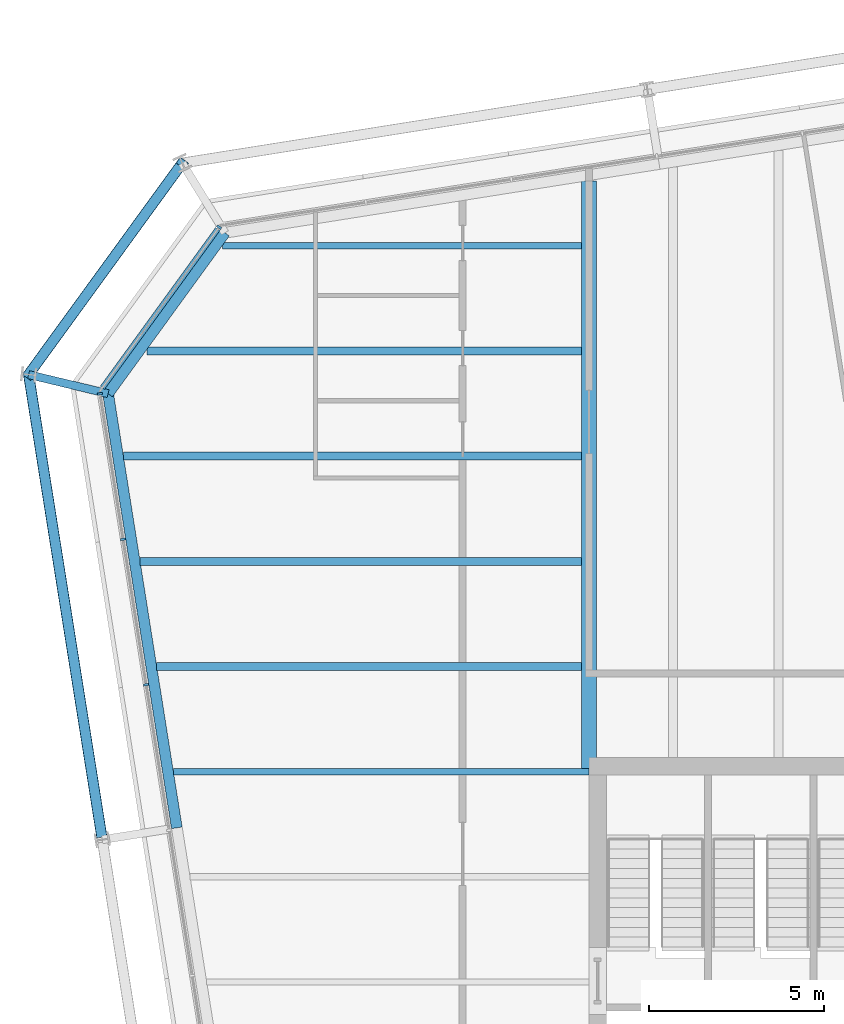
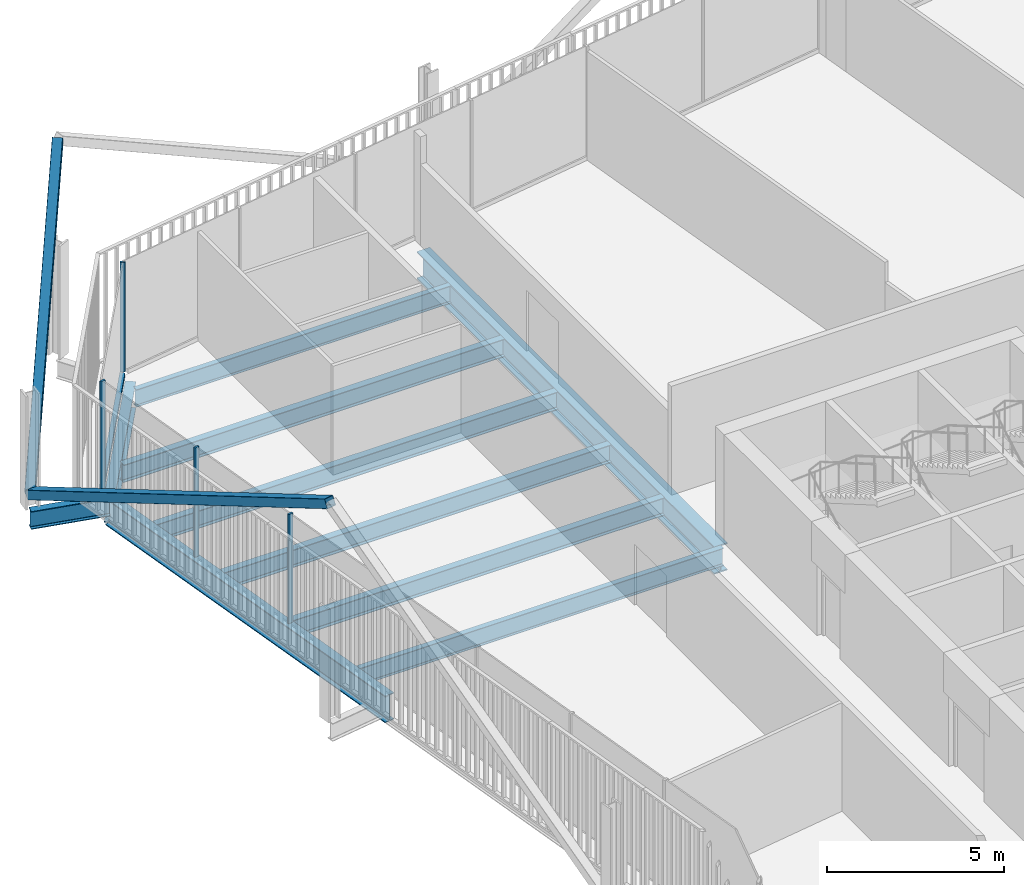
# One storey, part 11 of 21: 10 beams, 7 members, 2 elements without a shape of their own.
"""IFC4 building model written with IfcOpenShell, lengths in metres."""

from ifc_helpers import new_model, si_unit, direction, frame, origin, origin_2d, place, context, subcontext, project, spatial, rectangle, hollow_rectangle, i_section, extrude, material, layer, layer_set, material_profile, profile_set, type_object, element, aggregate, save


model = new_model("IFC4")

# Units and contexts
model_context = context("Model", 3, precision=1e-05, world=origin(), true_north=direction((0.0, 1.0)))
body_context = subcontext(model_context, "Body", "Model", "MODEL_VIEW")
ifc_project = project(units=[si_unit("LENGTHUNIT", "METRE"), si_unit("AREAUNIT", "SQUARE_METRE"), si_unit("VOLUMEUNIT", "CUBIC_METRE"), si_unit("PLANEANGLEUNIT", "RADIAN"), si_unit("MASSUNIT", "GRAM", prefix="KILO")], contexts=[model_context])

# Site, building, storey
site_placement = place(None, origin())
site = spatial("IfcSite", under=ifc_project, at=site_placement, CompositionType="ELEMENT")
building_placement = place(site_placement, origin())
building = spatial("IfcBuilding", under=site, at=building_placement, Name="Millrace Tower", CompositionType="ELEMENT")
storey_placement = place(building_placement, frame((0.0, 0.0, 247.39990234375)))
storey = spatial("IfcBuildingStorey", under=building, at=storey_placement, Name="L56", CompositionType="ELEMENT", Elevation=247.39990234375)

# Curtain wall, member
ifc_material_1 = material(Name="Aluminium and glass", Category="aluminium")
ifc_layer = layer(ifc_material_1, 0.14990234375)
ifc_layer_set = layer_set([ifc_layer], Name="Aluminium and glass")
curtain_wall_type = type_object("IfcCurtainWallType", Name="CW-1 office vision curtain wall", PredefinedType="NOTDEFINED", material=ifc_layer_set)
placement = place(storey_placement, origin())
curtain_wall_1 = element("IfcCurtainWall", 1, at=placement, inside=storey, type_object=curtain_wall_type, Name="Curtain wall D-F07 L56", PredefinedType="NOTDEFINED")
ifc_material_2 = material(Name="Aluminium", Category="aluminium")
ifc_material_profile_1 = material_profile(ifc_material_2, rectangle(XDim=0.06494140625, YDim=0.14990234375, at=origin_2d()))
ifc_profile_set_1 = profile_set([ifc_material_profile_1], Name="Aluminium")
member_type_1 = type_object("IfcMemberType", Name="CW-1 office vision curtain wall mullion", PredefinedType="MULLION", material=ifc_profile_set_1)
member_1_placement = place(storey_placement, frame((-24.945068359375, 24.528076171875, 0.14013671875), z_axis=(0.0, 0.0, 1.0), x_axis=(-0.587785305991, -0.809016955361, 0.0)))
member_1 = element("IfcMember", 2, at=member_1_placement, type_object=member_type_1, Name="CW1 mullion D-F07.1", PredefinedType="MULLION", context=body_context, shape_type="SweptSolid", body=[
    extrude(rectangle(XDim=0.06494140625, YDim=0.14990234375, at=origin_2d()), origin(), (0.0, 0.0, 1.0), 3.760009765625),
])

# Curtain wall, members
curtain_wall_2 = element("IfcCurtainWall", 3, at=placement, inside=storey, type_object=curtain_wall_type, Name="Curtain wall D-F08 L56", PredefinedType="NOTDEFINED")
member_2_placement = place(storey_placement, frame((-28.342529296875, 19.775390625, 0.14013671875), z_axis=(0.0, 0.0, 1.0), x_axis=(0.156434471884, -0.987688339511, 0.0)))
member_2 = element("IfcMember", 4, at=member_2_placement, type_object=member_type_1, Name="CW1 mullion D-F08.1", PredefinedType="MULLION", context=body_context, shape_type="SweptSolid", body=[
    extrude(rectangle(XDim=0.06494140625, YDim=0.14990234375, at=origin_2d()), origin(), (0.0, 0.0, 1.0), 3.760009765625),
])
member_3_placement = place(storey_placement, frame((-27.685302734375, 15.627197265625, 0.14013671875), z_axis=(0.0, 0.0, 1.0), x_axis=(0.156434471884, -0.987688339511, 0.0)))
member_3 = element("IfcMember", 5, at=member_3_placement, type_object=member_type_1, Name="CW1 mullion D-F08.2", PredefinedType="MULLION", context=body_context, shape_type="SweptSolid", body=[
    extrude(rectangle(XDim=0.06494140625, YDim=0.14990234375, at=origin_2d()), origin(), (0.0, 0.0, 1.0), 3.760009765625),
])
member_4_placement = place(storey_placement, frame((-27.0283203125, 11.47900390625, 0.14013671875), z_axis=(0.0, 0.0, 1.0), x_axis=(0.156434471884, -0.987688339511, 0.0)))
member_4 = element("IfcMember", 6, at=member_4_placement, type_object=member_type_1, Name="CW1 mullion D-F08.3", PredefinedType="MULLION", context=body_context, shape_type="SweptSolid", body=[
    extrude(rectangle(XDim=0.06494140625, YDim=0.14990234375, at=origin_2d()), origin(), (0.0, 0.0, 1.0), 3.760009765625),
])
aggregate(curtain_wall_2, [member_2, member_3, member_4])

# Member
ifc_material_3 = material(Name="Aluminium", Category="aluminium")
ifc_material_profile_2 = material_profile(ifc_material_3, rectangle(XDim=0.14990234375, YDim=0.139892578125, at=origin_2d()))
ifc_profile_set_2 = profile_set([ifc_material_profile_2], Name="Aluminium")
member_type_2 = type_object("IfcMemberType", Name="CW-1 office vision curtain wall transom", PredefinedType="USERDEFINED", material=ifc_profile_set_2)
member_5_placement = place(storey_placement, frame((-24.98486328125, 24.473388671875, 0.070068359375), z_axis=(-0.587782670904, -0.809018869857, 0.0), x_axis=(0.809018869857, -0.587782670904, 0.0)))
member_5 = element("IfcMember", 7, at=member_5_placement, type_object=member_type_2, Name="CW1 transom D-F07.1", ObjectType="TRANSOM", PredefinedType="USERDEFINED", context=body_context, shape_type="SweptSolid", body=[
    extrude(rectangle(XDim=0.14990234375, YDim=0.139892578125, at=origin_2d()), origin(), (0.0, 0.0, 1.0), 5.59814453125),
])

aggregate(curtain_wall_1, [member_1, member_5])

# Members
ifc_material_4 = material(Name="Steel ASTM A500 Grade C", Category="steel")
ifc_material_profile_3 = material_profile(ifc_material_4, hollow_rectangle(XDim=0.3046875, YDim=0.3046875, WallThickness=0.009521484375, InnerFilletRadius=0.004638671875, OuterFilletRadius=0.014404296875, at=origin_2d()))
ifc_profile_set_3 = profile_set([ifc_material_profile_3], Name="Steel ASTM A500 Grade C")
member_type_3 = type_object("IfcMemberType", Name="Exoskeleton brace HSS12x12x3/8", PredefinedType="BRACE", material=ifc_profile_set_3)
member_6_placement = place(storey_placement, frame((-30.37841796875, 20.32470703125, 0.400146484375), z_axis=(0.42850795905, 0.589774395252, 0.684504997598), x_axis=(-0.809009310944, 0.587795827483, 0.0)))
element("IfcMember", 8, at=member_6_placement, inside=storey, type_object=member_type_3, Name="BRC-D-L56-13", PredefinedType="BRACE", context=body_context, shape_type="SweptSolid", body=[
    extrude(hollow_rectangle(XDim=0.3046875, YDim=0.3046875, WallThickness=0.009521484375, InnerFilletRadius=0.004638671875, OuterFilletRadius=0.014404296875, at=origin_2d()), origin(), (0.0, 0.0, 1.0), 10.226318359375),
])
member_7_placement = place(storey_placement, frame((-30.37841796875, 20.32470703125, 0.400146484375), z_axis=(0.138712380788, -0.87583551821, 0.462245627841), x_axis=(0.987689444837, 0.156427492975, 0.0)))
element("IfcMember", 9, at=member_7_placement, inside=storey, type_object=member_type_3, Name="BRC-D-L56-14", PredefinedType="BRACE", context=body_context, shape_type="SweptSolid", body=[
    extrude(hollow_rectangle(XDim=0.3046875, YDim=0.3046875, WallThickness=0.009521484375, InnerFilletRadius=0.004638671875, OuterFilletRadius=0.014404296875, at=origin_2d()), origin(), (0.0, 0.0, 1.0), 15.1435546875),
])

# Beams
ifc_material_5 = material(Name="Steel ASTM A992 Grade 50", Category="steel")
ifc_material_profile_4 = material_profile(ifc_material_5, i_section(OverallWidth=0.1787109375, OverallDepth=0.60205078125, WebThickness=0.010986328125, FlangeThickness=0.014892578125, FilletRadius=0.0126953125, at=origin_2d()))
ifc_profile_set_4 = profile_set([ifc_material_profile_4], Name="Steel ASTM A992 Grade 50")
beam_type_1 = type_object("IfcBeamType", Name="Floor beam W24x62", PredefinedType="JOIST", material=ifc_profile_set_4)
beam_1_placement = place(storey_placement, frame((-26.248779296875, 9.0, -0.4609375), z_axis=(1.0, 0.0, 0.0), x_axis=(0.0, 1.0, 0.0)))
element("IfcBeam", 10, at=beam_1_placement, inside=storey, type_object=beam_type_1, Name="BM-D-L56-S1-S023", PredefinedType="JOIST", context=body_context, shape_type="SweptSolid", body=[
    extrude(i_section(OverallWidth=0.1787109375, OverallDepth=0.60205078125, WebThickness=0.010986328125, FlangeThickness=0.014892578125, FilletRadius=0.0126953125, at=origin_2d()), origin(), (0.0, 0.0, 1.0), 11.848876953125),
])
beam_2_placement = place(storey_placement, frame((-24.843994140625, 24.0, -0.4609375), z_axis=(1.0, 0.0, 0.0), x_axis=(0.0, 1.0, 0.0)))
element("IfcBeam", 11, at=beam_2_placement, inside=storey, type_object=beam_type_1, Name="BM-D-L56-S1-S033", PredefinedType="JOIST", context=body_context, shape_type="SweptSolid", body=[
    extrude(i_section(OverallWidth=0.1787109375, OverallDepth=0.60205078125, WebThickness=0.010986328125, FlangeThickness=0.014892578125, FilletRadius=0.0126953125, at=origin_2d()), origin(), (0.0, 0.0, 1.0), 10.234375),
])
ifc_material_6 = material(Name="Steel ASTM A992 Grade 50", Category="steel")
ifc_material_profile_5 = material_profile(ifc_material_6, i_section(OverallWidth=0.228271484375, OverallDepth=0.607177734375, WebThickness=0.01123046875, FlangeThickness=0.017333984375, FilletRadius=0.0126953125, at=origin_2d()))
ifc_profile_set_5 = profile_set([ifc_material_profile_5], Name="Steel ASTM A992 Grade 50")
beam_type_2 = type_object("IfcBeamType", Name="Floor beam W24x76", PredefinedType="JOIST", material=ifc_profile_set_5)
beam_3_placement = place(storey_placement, frame((-26.723876953125, 12.0, -0.46337890625), z_axis=(1.0, 0.0, 0.0), x_axis=(0.0, 1.0, 0.0)))
element("IfcBeam", 12, at=beam_3_placement, inside=storey, type_object=beam_type_2, Name="BM-D-L56-S1-S025", PredefinedType="JOIST", context=body_context, shape_type="SweptSolid", body=[
    extrude(i_section(OverallWidth=0.228271484375, OverallDepth=0.607177734375, WebThickness=0.01123046875, FlangeThickness=0.017333984375, FilletRadius=0.0126953125, at=origin_2d()), origin(), (0.0, 0.0, 1.0), 12.1142578125),
])
beam_4_placement = place(storey_placement, frame((-27.198974609375, 15.0, -0.46337890625), z_axis=(1.0, 0.0, 0.0), x_axis=(0.0, 1.0, 0.0)))
element("IfcBeam", 13, at=beam_4_placement, inside=storey, type_object=beam_type_2, Name="BM-D-L56-S1-S027", PredefinedType="JOIST", context=body_context, shape_type="SweptSolid", body=[
    extrude(i_section(OverallWidth=0.228271484375, OverallDepth=0.607177734375, WebThickness=0.01123046875, FlangeThickness=0.017333984375, FilletRadius=0.0126953125, at=origin_2d()), origin(), (0.0, 0.0, 1.0), 12.58935546875),
])
beam_5_placement = place(storey_placement, frame((-27.674072265625, 18.0, -0.46337890625), z_axis=(1.0, 0.0, 0.0), x_axis=(0.0, 1.0, 0.0)))
element("IfcBeam", 14, at=beam_5_placement, inside=storey, type_object=beam_type_2, Name="BM-D-L56-S1-S029", PredefinedType="JOIST", context=body_context, shape_type="SweptSolid", body=[
    extrude(i_section(OverallWidth=0.228271484375, OverallDepth=0.607177734375, WebThickness=0.01123046875, FlangeThickness=0.017333984375, FilletRadius=0.0126953125, at=origin_2d()), origin(), (0.0, 0.0, 1.0), 13.064453125),
])
beam_6_placement = place(storey_placement, frame((-27.0078125, 21.0, -0.46337890625), z_axis=(1.0, 0.0, 0.0), x_axis=(0.0, 1.0, 0.0)))
element("IfcBeam", 15, at=beam_6_placement, inside=storey, type_object=beam_type_2, Name="BM-D-L56-S1-S031", PredefinedType="JOIST", context=body_context, shape_type="SweptSolid", body=[
    extrude(i_section(OverallWidth=0.228271484375, OverallDepth=0.607177734375, WebThickness=0.01123046875, FlangeThickness=0.017333984375, FilletRadius=0.0126953125, at=origin_2d()), origin(), (0.0, 0.0, 1.0), 12.398193359375),
])
ifc_material_7 = material(Name="Steel ASTM A992 Grade 50", Category="steel")
ifc_material_profile_6 = material_profile(ifc_material_7, i_section(OverallWidth=0.424072265625, OverallDepth=0.947509765625, WebThickness=0.02392578125, FlangeThickness=0.042724609375, FilletRadius=0.024169921875, at=origin_2d()))
ifc_profile_set_6 = profile_set([ifc_material_profile_6], Name="Steel ASTM A992 Grade 50")
beam_type_3 = type_object("IfcBeamType", Name="Girder medium span W36x302", PredefinedType="BEAM", material=ifc_profile_set_6)
beam_7_placement = place(storey_placement, frame((-14.39990234375, 9.092041015625, -0.633544921875), z_axis=(0.0, 1.0, 0.0), x_axis=(-1.0, 0.0, 0.0)))
element("IfcBeam", 16, at=beam_7_placement, inside=storey, type_object=beam_type_3, Name="BM-D-L56-S1-G054", PredefinedType="BEAM", context=body_context, shape_type="SweptSolid", body=[
    extrude(i_section(OverallWidth=0.424072265625, OverallDepth=0.947509765625, WebThickness=0.02392578125, FlangeThickness=0.042724609375, FilletRadius=0.024169921875, at=origin_2d()), origin(), (0.0, 0.0, 1.0), 16.756591796875),
])
ifc_material_8 = material(Name="Steel ASTM A992 Grade 50", Category="steel")
ifc_material_profile_7 = material_profile(ifc_material_8, i_section(OverallWidth=0.23046875, OverallDepth=0.6171875, WebThickness=0.01318359375, FlangeThickness=0.022216796875, FilletRadius=0.012939453125, at=origin_2d()))
ifc_profile_set_7 = profile_set([ifc_material_profile_7], Name="Steel ASTM A992 Grade 50")
beam_type_4 = type_object("IfcBeamType", Name="Link beam W24x94", PredefinedType="BEAM", material=ifc_profile_set_7)
beam_8_placement = place(storey_placement, frame((-28.11181640625, 19.780517578125, -0.468505859375), z_axis=(-0.972367333652, 0.233456138164, 0.0), x_axis=(-0.233456138164, -0.972367333652, 0.0)))
element("IfcBeam", 17, at=beam_8_placement, inside=storey, type_object=beam_type_4, Name="LNK-D-L56-S1-04", PredefinedType="BEAM", context=body_context, shape_type="SweptSolid", body=[
    extrude(i_section(OverallWidth=0.23046875, OverallDepth=0.6171875, WebThickness=0.01318359375, FlangeThickness=0.022216796875, FilletRadius=0.012939453125, at=origin_2d()), origin(), (0.0, 0.0, 1.0), 2.3310546875),
])
ifc_material_9 = material(Name="Steel ASTM A992 Grade 50", Category="steel")
ifc_material_profile_8 = material_profile(ifc_material_9, i_section(OverallWidth=0.307373046875, OverallDepth=0.927001953125, WebThickness=0.01953125, FlangeThickness=0.031982421875, FilletRadius=0.01904296875, at=origin_2d()))
ifc_profile_set_8 = profile_set([ifc_material_profile_8], Name="Steel ASTM A992 Grade 50")
beam_type_5 = type_object("IfcBeamType", Name="Ring beam medium span W36x194", PredefinedType="SPANDREL", material=ifc_profile_set_8)
beam_9_placement = place(storey_placement, frame((-26.150634765625, 7.3984375, -0.62353515625), z_axis=(-0.156438575049, 0.987687689625, 0.0), x_axis=(-0.987687689625, -0.156438575049, 0.0)))
element("IfcBeam", 18, at=beam_9_placement, inside=storey, type_object=beam_type_5, Name="RNG-D-L56-S1-03", PredefinedType="SPANDREL", context=body_context, shape_type="SweptSolid", body=[
    extrude(i_section(OverallWidth=0.307373046875, OverallDepth=0.927001953125, WebThickness=0.01953125, FlangeThickness=0.031982421875, FilletRadius=0.01904296875, at=origin_2d()), origin(), (0.0, 0.0, 1.0), 12.536376953125),
])
ifc_material_10 = material(Name="Steel ASTM A992 Grade 50", Category="steel")
ifc_material_profile_9 = material_profile(ifc_material_10, i_section(OverallWidth=0.307373046875, OverallDepth=0.927001953125, WebThickness=0.01953125, FlangeThickness=0.031982421875, FilletRadius=0.01904296875, at=origin_2d()))
ifc_profile_set_9 = profile_set([ifc_material_profile_9], Name="Steel ASTM A992 Grade 50")
beam_type_6 = type_object("IfcBeamType", Name="Ring beam short span W36x194", PredefinedType="SPANDREL", material=ifc_profile_set_9)
beam_10_placement = place(storey_placement, frame((-28.11181640625, 19.780517578125, -0.62353515625), z_axis=(0.587808154511, 0.809000354444, 0.0), x_axis=(-0.809000354444, 0.587808154511, 0.0)))
element("IfcBeam", 19, at=beam_10_placement, inside=storey, type_object=beam_type_6, Name="RNG-D-L56-S1-04", PredefinedType="SPANDREL", context=body_context, shape_type="SweptSolid", body=[
    extrude(i_section(OverallWidth=0.307373046875, OverallDepth=0.927001953125, WebThickness=0.01953125, FlangeThickness=0.031982421875, FilletRadius=0.01904296875, at=origin_2d()), origin(), (0.0, 0.0, 1.0), 5.671142578125),
])

save(model, "model.ifc")
